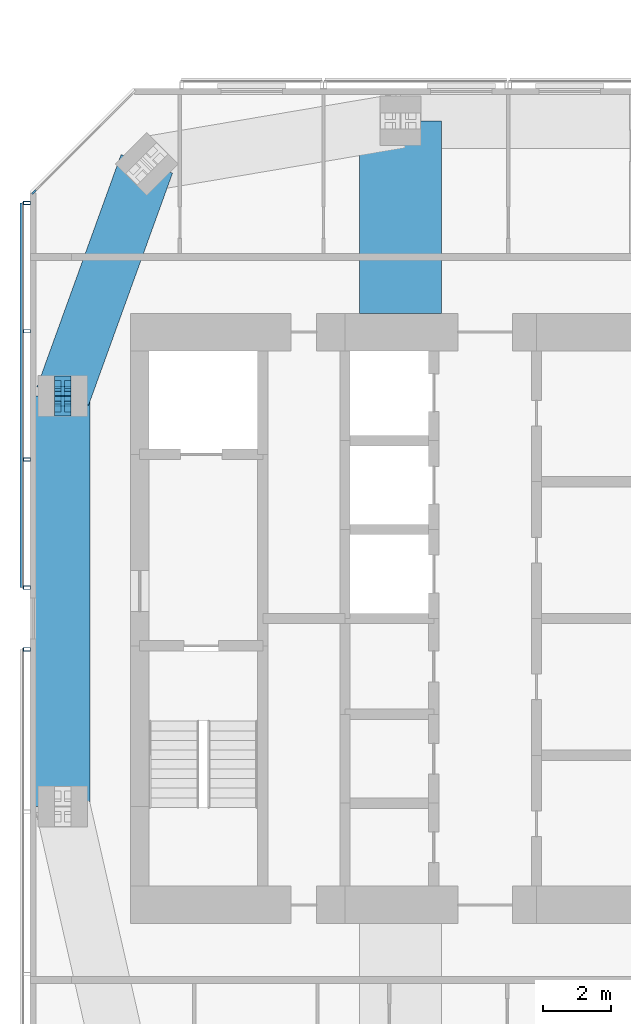
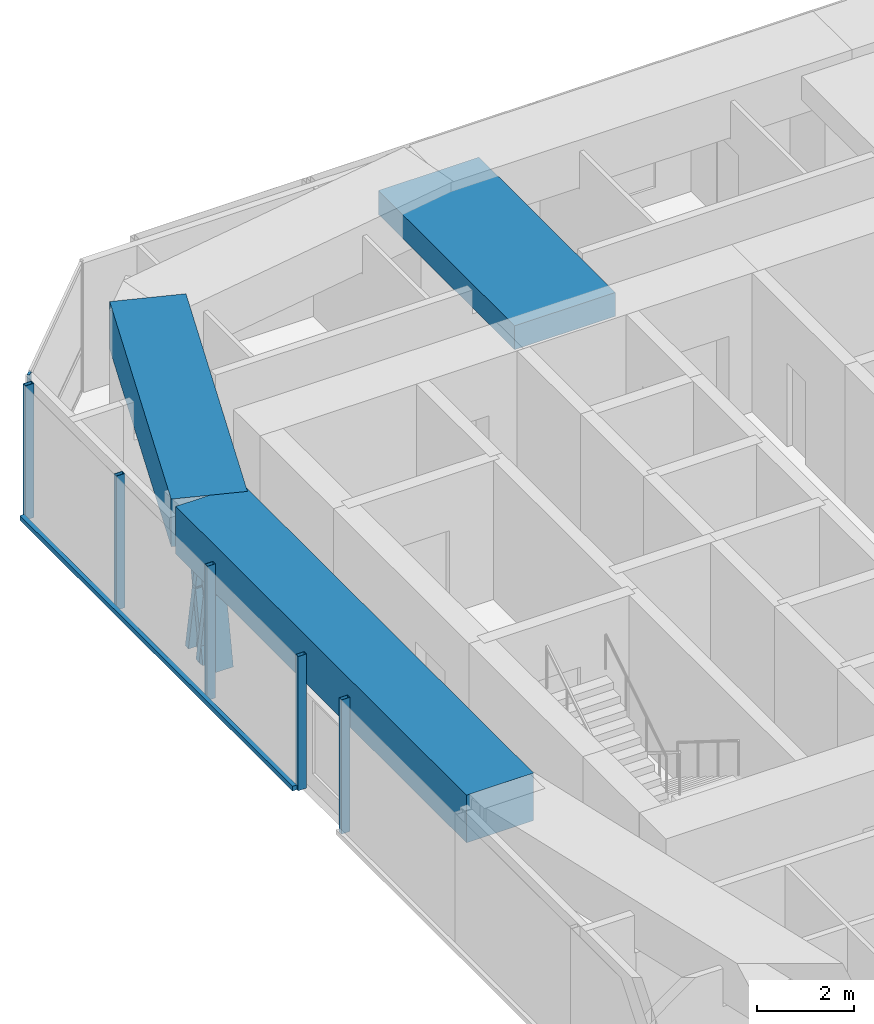
# One storey, part 5 of 18: 11 members, 3 beams, 3 elements without a shape of their own.
"""IFC4 building model written with IfcOpenShell, lengths in metres."""

from ifc_helpers import new_model, si_unit, direction, frame, origin, origin_2d, place, context, subcontext, project, spatial, rectangle, hollow_rectangle, i_section, extrude, material, material_profile, profile_set, type_object, element, aggregate, save


model = new_model("IFC4")

# Units and contexts
model_context = context("Model", 3, precision=1e-05, world=origin(), true_north=direction((0.0, 1.0)))
body_context = subcontext(model_context, "Body", "Model", "MODEL_VIEW")
ifc_project = project(units=[si_unit("LENGTHUNIT", "METRE"), si_unit("AREAUNIT", "SQUARE_METRE"), si_unit("VOLUMEUNIT", "CUBIC_METRE"), si_unit("PLANEANGLEUNIT", "RADIAN"), si_unit("MASSUNIT", "GRAM", prefix="KILO")], contexts=[model_context])

# Site, building, storey
site_placement = place(None, origin())
site = spatial("IfcSite", under=ifc_project, at=site_placement, CompositionType="ELEMENT")
building_placement = place(site_placement, origin())
building = spatial("IfcBuilding", under=site, at=building_placement, Name="Jalousie Tower", CompositionType="ELEMENT")
storey_placement = place(building_placement, frame((0.0, 0.0, 256.449951171875)))
storey = spatial("IfcBuildingStorey", under=building, at=storey_placement, Name="L70", CompositionType="ELEMENT", Elevation=256.449951171875)

# Curtain wall, member
ifc_material_1 = material(Name="Aluminium curtain wall", Category="aluminium")
curtain_wall_type_1 = type_object("IfcCurtainWallType", Name="CORNER WINDOW WALL", PredefinedType="USERDEFINED", material=ifc_material_1)
curtain_wall_1_placement = place(storey_placement, origin())
curtain_wall_1 = element("IfcCurtainWall", 1, at=curtain_wall_1_placement, inside=storey, type_object=curtain_wall_type_1, Name="Corner Window Wall L70 6", ObjectType="CORNER WINDOW WALL", PredefinedType="USERDEFINED")
ifc_material_2 = material(Name="Aluminium mullion", Category="aluminium")
ifc_material_profile_1 = material_profile(ifc_material_2, rectangle(XDim=0.06005859375, YDim=0.14990234375, at=origin_2d()), Name="MULLION 60x150")
ifc_profile_set_1 = profile_set([ifc_material_profile_1], Name="Aluminium mullion")
member_type_1 = type_object("IfcMemberType", Name="CORNER WINDOW WALL MULLION", PredefinedType="MULLION", material=ifc_profile_set_1)
member_1_placement = place(storey_placement, frame((16.90869140625, 30.969970703125, 0.0), z_axis=(0.0, 0.0, 1.0), x_axis=(0.707106781187, -0.707106781187, 0.0)))
member_1 = element("IfcMember", 2, at=member_1_placement, type_object=member_type_1, Name="CW-C mullion 2", PredefinedType="MULLION", context=body_context, shape_type="SweptSolid", body=[
    extrude(rectangle(XDim=0.06005859375, YDim=0.14990234375, at=origin_2d()), origin(), (0.0, 0.0, 1.0), 3.260009765625),
])
aggregate(curtain_wall_1, [member_1])

# Members
ifc_material_3 = material(Name="Steel ASTM A992 Grade 50", Category="steel")
ifc_material_profile_2 = material_profile(ifc_material_3, i_section(OverallWidth=0.472412109375, OverallDepth=0.5791015625, WebThickness=0.094970703125, FlangeThickness=0.1298828125, at=origin_2d()), Name="W14X808")
ifc_profile_set_2 = profile_set([ifc_material_profile_2], Name="Steel ASTM A992 Grade 50")
member_type_2 = type_object("IfcMemberType", Name="PERIMETER BRACE W14X808", PredefinedType="BRACE", material=ifc_profile_set_2)
for number, where, z_axis, x_axis, name in (
    (3, (17.75, 24.699951171875, -0.599853515625), (0.0, 0.168990530437, 0.98561767467), (-1.0, 0.0, 0.0), "Perimeter brace 13 L70 part 1"),
    (4, (17.75, 25.0, 1.150146484375), (0.0, 0.168990530437, 0.98561767467), (-1.0, 0.0, 0.0), "Perimeter brace 13 L70 part 2"),
    (5, (17.75, 25.300048828125, -0.599853515625), (0.0, -0.168990530437, 0.98561767467), (1.0, 0.0, 0.0), "Perimeter brace 13 L70 part 3"),
    (6, (17.75, 25.0, 1.150146484375), (0.0, -0.168990530437, 0.98561767467), (1.0, 0.0, 0.0), "Perimeter brace 13 L70 part 4"),
):
    element("IfcMember", number, at=place(storey_placement, frame(where, z_axis=z_axis, x_axis=x_axis)), inside=storey, type_object=member_type_2, Name=name, PredefinedType="BRACE", context=body_context, shape_type="SweptSolid", body=[
        extrude(i_section(OverallWidth=0.472412109375, OverallDepth=0.5791015625, WebThickness=0.094970703125, FlangeThickness=0.1298828125, at=origin_2d()), origin(), (0.0, 0.0, 1.0), 1.775634765625),
    ])

# Beams
ifc_material_4 = material(Name="Concrete f'c 40 MPa", Category="concrete")
ifc_material_profile_3 = material_profile(ifc_material_4, rectangle(XDim=1.60009765625, YDim=1.199951171875, at=origin_2d()), Name="RC 1600x1200")
ifc_profile_set_3 = profile_set([ifc_material_profile_3], Name="Concrete f'c 40 MPa")
beam_type_1 = type_object("IfcBeamType", Name="RC BEAM 1600x1200", PredefinedType="BEAM", material=ifc_profile_set_3)
beam_1_placement = place(storey_placement, frame((20.20703125, 31.79296875, 2.900146484375), z_axis=(-0.340136081654, -0.940376225751, 0.0), x_axis=(0.940376225751, -0.340136081654, 0.0)))
element("IfcBeam", 7, at=beam_1_placement, inside=storey, type_object=beam_type_1, Name="Edge band beam 12-13 under L71", PredefinedType="BEAM", context=body_context, shape_type="SweptSolid", body=[
    extrude(rectangle(XDim=1.60009765625, YDim=1.199951171875, at=origin_2d()), origin(), (0.0, 0.0, 1.0), 7.2236328125),
])
beam_2_placement = place(storey_placement, frame((17.75, 25.0, 2.900146484375), z_axis=(0.0, -1.0, 0.0), x_axis=(1.0, 0.0, 0.0)))
element("IfcBeam", 8, at=beam_2_placement, inside=storey, type_object=beam_type_1, Name="Edge band beam 13-14 under L71", PredefinedType="BEAM", context=body_context, shape_type="SweptSolid", body=[
    extrude(rectangle(XDim=1.60009765625, YDim=1.199951171875, at=origin_2d()), origin(), (0.0, 0.0, 1.0), 12.0),
])
ifc_material_5 = material(Name="Concrete f'c 40 MPa", Category="concrete")
ifc_material_profile_4 = material_profile(ifc_material_5, rectangle(XDim=2.39990234375, YDim=0.60009765625, at=origin_2d()), Name="RC 2400x600")
ifc_profile_set_4 = profile_set([ifc_material_profile_4], Name="Concrete f'c 40 MPa")
beam_type_2 = type_object("IfcBeamType", Name="RC BEAM 2400x600", PredefinedType="BEAM", material=ifc_profile_set_4)
beam_3_placement = place(storey_placement, frame((27.625, 33.050048828125, 2.9599609375), z_axis=(0.0, -1.0, 0.0), x_axis=(1.0, 0.0, 0.0)))
element("IfcBeam", 9, at=beam_3_placement, inside=storey, type_object=beam_type_2, Name="Floor band beam under L71", PredefinedType="BEAM", context=body_context, shape_type="SweptSolid", body=[
    extrude(rectangle(XDim=2.39990234375, YDim=0.60009765625, at=origin_2d()), origin(), (0.0, 0.0, 1.0), 5.625),
])

# Curtain wall, members
ifc_material_6 = material(Name="Perforated aluminium sheet", Category="aluminium")
curtain_wall_type_2 = type_object("IfcCurtainWallType", Name="SOLAR SCREEN SS-2", PredefinedType="USERDEFINED", material=ifc_material_6)
curtain_wall_2_placement = place(storey_placement, origin())
curtain_wall_2 = element("IfcCurtainWall", 10, at=curtain_wall_2_placement, inside=storey, type_object=curtain_wall_type_2, Name="Solar screen L70", ObjectType="SOLAR SCREEN SS-2", PredefinedType="USERDEFINED")
ifc_material_7 = material(Name="Steel ASTM A500 Grade C", Category="steel")
ifc_material_profile_5 = material_profile(ifc_material_7, hollow_rectangle(XDim=0.1015625, YDim=0.203125, WallThickness=0.0078125, at=origin_2d()), Name="HSS8X4X5/16")
ifc_profile_set_5 = profile_set([ifc_material_profile_5], Name="Steel ASTM A500 Grade C")
member_type_3 = type_object("IfcMemberType", Name="SOLAR SCREEN SS-2 MULLION", PredefinedType="MULLION", material=ifc_profile_set_5)
member_2_placement = place(storey_placement, frame((16.703369140625, 30.648681640625, -0.119873046875), z_axis=(0.0, 0.0, 1.0), x_axis=(0.0, -1.0, 0.0)))
member_2 = element("IfcMember", 11, at=member_2_placement, type_object=member_type_3, Name="SS2 post 1", PredefinedType="MULLION", context=body_context, shape_type="SweptSolid", body=[
    extrude(hollow_rectangle(XDim=0.1015625, YDim=0.203125, WallThickness=0.0078125, at=origin_2d()), origin(), (0.0, 0.0, 1.0), 3.3798828125),
])
member_3_placement = place(storey_placement, frame((16.703369140625, 26.899169921875, -0.119873046875), z_axis=(0.0, 0.0, 1.0), x_axis=(0.0, -1.0, 0.0)))
member_3 = element("IfcMember", 12, at=member_3_placement, type_object=member_type_3, Name="SS2 post 2", PredefinedType="MULLION", context=body_context, shape_type="SweptSolid", body=[
    extrude(hollow_rectangle(XDim=0.1015625, YDim=0.203125, WallThickness=0.0078125, at=origin_2d()), origin(), (0.0, 0.0, 1.0), 3.3798828125),
])
member_4_placement = place(storey_placement, frame((16.703369140625, 23.149658203125, -0.119873046875), z_axis=(0.0, 0.0, 1.0), x_axis=(0.0, -1.0, 0.0)))
member_4 = element("IfcMember", 13, at=member_4_placement, type_object=member_type_3, Name="SS2 post 3", PredefinedType="MULLION", context=body_context, shape_type="SweptSolid", body=[
    extrude(hollow_rectangle(XDim=0.1015625, YDim=0.203125, WallThickness=0.0078125, at=origin_2d()), origin(), (0.0, 0.0, 1.0), 3.3798828125),
])
member_5_placement = place(storey_placement, frame((16.703369140625, 19.39990234375, -0.119873046875), z_axis=(0.0, 0.0, 1.0), x_axis=(0.0, -1.0, 0.0)))
member_5 = element("IfcMember", 14, at=member_5_placement, type_object=member_type_3, Name="SS2 post 4", PredefinedType="MULLION", context=body_context, shape_type="SweptSolid", body=[
    extrude(hollow_rectangle(XDim=0.1015625, YDim=0.203125, WallThickness=0.0078125, at=origin_2d()), origin(), (0.0, 0.0, 1.0), 3.3798828125),
])

# Curtain wall, member
curtain_wall_3_placement = place(storey_placement, origin())
curtain_wall_3 = element("IfcCurtainWall", 15, at=curtain_wall_3_placement, inside=storey, type_object=curtain_wall_type_2, Name="Solar screen L70", ObjectType="SOLAR SCREEN SS-2", PredefinedType="USERDEFINED")
member_6_placement = place(storey_placement, frame((16.703369140625, 17.60009765625, -0.119873046875), z_axis=(0.0, 0.0, 1.0), x_axis=(0.0, -1.0, 0.0)))
member_6 = element("IfcMember", 16, at=member_6_placement, type_object=member_type_3, Name="SS2 post 1", PredefinedType="MULLION", context=body_context, shape_type="SweptSolid", body=[
    extrude(hollow_rectangle(XDim=0.1015625, YDim=0.203125, WallThickness=0.0078125, at=origin_2d()), origin(), (0.0, 0.0, 1.0), 3.3798828125),
])
aggregate(curtain_wall_3, [member_6])

# Member
ifc_material_8 = material(Name="Extruded aluminium screen rail", Category="aluminium")
ifc_material_profile_6 = material_profile(ifc_material_8, rectangle(XDim=0.1015625, YDim=0.1201171875, at=origin_2d()), Name="RAIL 102x120")
ifc_profile_set_6 = profile_set([ifc_material_profile_6], Name="Extruded aluminium screen rail")
member_type_4 = type_object("IfcMemberType", Name="SOLAR SCREEN SS-2 TRANSOM", PredefinedType="USERDEFINED", material=ifc_profile_set_6)
member_7_placement = place(storey_placement, frame((16.551025390625, 30.648681640625, -0.06005859375), z_axis=(0.0, -1.0, 0.0), x_axis=(1.0, 0.0, 0.0)))
member_7 = element("IfcMember", 17, at=member_7_placement, type_object=member_type_4, Name="SS2 rail", ObjectType="TRANSOM", PredefinedType="USERDEFINED", context=body_context, shape_type="SweptSolid", body=[
    extrude(rectangle(XDim=0.1015625, YDim=0.1201171875, at=origin_2d()), origin(), (0.0, 0.0, 1.0), 11.248779296875),
])

aggregate(curtain_wall_2, [member_2, member_3, member_4, member_5, member_7])

save(model, "model.ifc")
